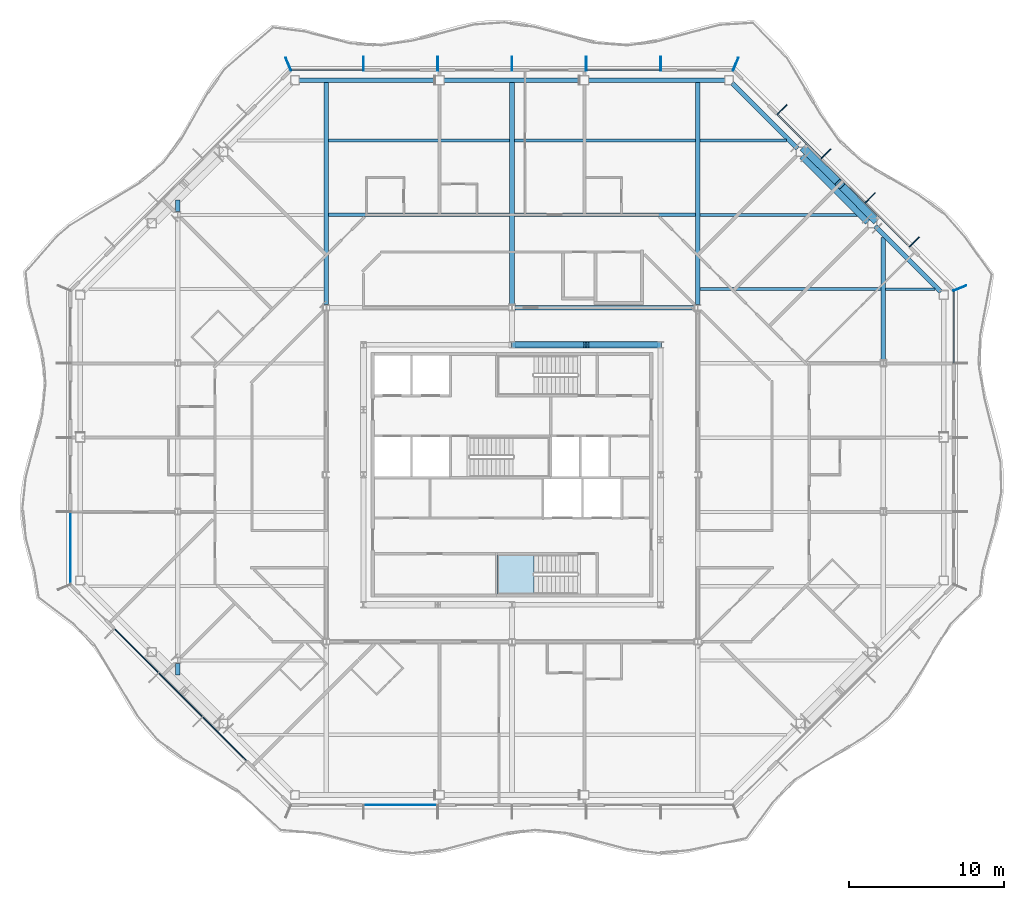
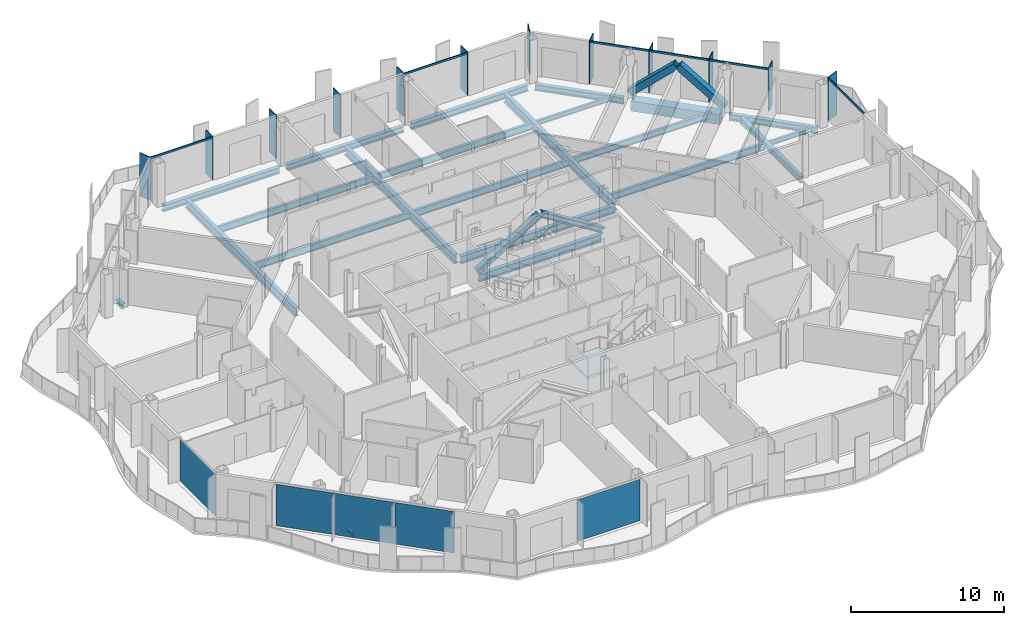
# One storey, part 5 of 21: 23 beams, 22 members, 5 plates, 1 slab, 8 elements without a shape of their own.
"""IFC4 building model written with IfcOpenShell, lengths in metres."""

from ifc_helpers import new_model, si_unit, direction, frame, origin, origin_2d, place, context, subcontext, project, spatial, polyline, rectangle, hollow_rectangle, i_section, outline, extrude, material, layer, layer_set, material_profile, profile_set, type_object, element, aggregate, save


model = new_model("IFC4")

# Units and contexts
model_context = context("Model", 3, precision=1e-05, world=origin(), true_north=direction((0.0, 1.0)))
body_context = subcontext(model_context, "Body", "Model", "MODEL_VIEW")
ifc_project = project(units=[si_unit("LENGTHUNIT", "METRE"), si_unit("AREAUNIT", "SQUARE_METRE"), si_unit("VOLUMEUNIT", "CUBIC_METRE"), si_unit("PLANEANGLEUNIT", "RADIAN"), si_unit("MASSUNIT", "GRAM", prefix="KILO")], contexts=[model_context])

# Site, building, storey
site_placement = place(None, origin())
site = spatial("IfcSite", under=ifc_project, at=site_placement, CompositionType="ELEMENT")
building_placement = place(site_placement, origin())
building = spatial("IfcBuilding", under=site, at=building_placement, Name="Cairn Pilgrim Tower", CompositionType="ELEMENT")
storey_placement = place(building_placement, frame((0.0, 0.0, 154.199951171875)))
storey = spatial("IfcBuildingStorey", under=building, at=storey_placement, Name="L38", CompositionType="ELEMENT", Elevation=154.199951171875)

# Members
ifc_material_1 = material(Name="Structural steel S460M", Category="steel")
ifc_material_profile_1 = material_profile(ifc_material_1, hollow_rectangle(XDim=0.5, YDim=0.5, WallThickness=0.030029296875, at=origin_2d()), Name="BOX 500x500x30")
ifc_profile_set_1 = profile_set([ifc_material_profile_1], Name="Structural steel S460M")
member_type_1 = type_object("IfcMemberType", Name="BOX 500x500x30 BRACE", PredefinedType="BRACE", material=ifc_profile_set_1)
for number, where, z_axis, x_axis, name in (
    (1, (30.643310546875, 18.89794921875, 0.150146484375), (-0.53283023714, 0.540432836476, 0.651171473306), (-0.712097799006, -0.702080283622, 0.0), "XB-NE2-NE3-1"),
    (2, (26.097900390625, 23.443359375, 0.150146484375), (0.540432836476, -0.53283023714, 0.651171473306), (0.702080283622, 0.712097799006, 0.0), "XB-NE2-NE3-2"),
):
    element("IfcMember", number, at=place(storey_placement, frame(where, z_axis=z_axis, x_axis=x_axis)), inside=storey, type_object=member_type_1, Name=name, PredefinedType="BRACE", context=body_context, shape_type="SweptSolid", body=[
        extrude(hollow_rectangle(XDim=0.5, YDim=0.5, WallThickness=0.030029296875, at=origin_2d()), origin(), (0.0, 0.0, 1.0), 4.142578125),
    ])

# Beams
ifc_material_2 = material(Name="Structural steel S355J2", Category="steel")
ifc_material_profile_2 = material_profile(ifc_material_2, hollow_rectangle(XDim=0.699951171875, YDim=0.800048828125, WallThickness=0.0400390625, at=origin_2d()), Name="BOX 700x800x40")
ifc_profile_set_2 = profile_set([ifc_material_profile_2], Name="Structural steel S355J2")
beam_type_1 = type_object("IfcBeamType", Name="BOX 700x800x40 RING GIRDER", PredefinedType="SPANDREL", material=ifc_profile_set_2)
beam_1_placement = place(storey_placement, frame((30.284912109375, 18.84228515625, -0.550048828125), z_axis=(-0.707106781187, 0.707106781187, 0.0), x_axis=(-0.707106781187, -0.707106781187, 0.0)))
element("IfcBeam", 3, at=beam_1_placement, inside=storey, type_object=beam_type_1, Name="RG2-NE2-NE3-1", PredefinedType="SPANDREL", context=body_context, shape_type="SweptSolid", body=[
    extrude(hollow_rectangle(XDim=0.699951171875, YDim=0.800048828125, WallThickness=0.0400390625, at=origin_2d()), origin(), (0.0, 0.0, 1.0), 3.0),
])
beam_2_placement = place(storey_placement, frame((28.16357421875, 20.963623046875, -0.550048828125), z_axis=(-0.707106781187, 0.707106781187, 0.0), x_axis=(-0.707106781187, -0.707106781187, 0.0)))
element("IfcBeam", 4, at=beam_2_placement, inside=storey, type_object=beam_type_1, Name="RG2-NE2-NE3-2", PredefinedType="SPANDREL", context=body_context, shape_type="SweptSolid", body=[
    extrude(hollow_rectangle(XDim=0.699951171875, YDim=0.800048828125, WallThickness=0.0400390625, at=origin_2d()), origin(), (0.0, 0.0, 1.0), 2.999755859375),
])

# Curtain wall, members
ifc_material_3 = material(Name="Aluminium alloy 6063-T6 bronze anodised with Bronze tinted laminated low-E glass 8+16+8.8", Category="aluminium")
curtain_wall_type_1 = type_object("IfcCurtainWallType", Name="CHAMFER CORNER CURTAIN WALL", PredefinedType="NOTDEFINED", material=ifc_material_3)
curtain_wall_1_placement = place(storey_placement, origin())
curtain_wall_1 = element("IfcCurtainWall", 5, at=curtain_wall_1_placement, inside=storey, type_object=curtain_wall_type_1, Name="Chamfer Corner Curtain Wall NE", PredefinedType="NOTDEFINED")
ifc_material_4 = material(Name="Aluminium alloy 6063-T6 bronze anodised", Category="aluminium")
ifc_material_profile_3 = material_profile(ifc_material_4, rectangle(XDim=0.89990234375, YDim=0.06005859375, at=origin_2d()), Name="FIN MULLION 60x900 BRONZE")
ifc_profile_set_3 = profile_set([ifc_material_profile_3], Name="Aluminium alloy 6063-T6 bronze anodised")
member_type_2 = type_object("IfcMemberType", Name="FIN MULLION 60x900 BRONZE", PredefinedType="MULLION", material=ifc_profile_set_3)
member_1_placement = place(storey_placement, frame((36.137939453125, 14.457275390625, 0.0), z_axis=(0.0, 0.0, 1.0), x_axis=(0.923879532511, 0.382683432365, 0.0)))
member_1 = element("IfcMember", 6, at=member_1_placement, type_object=member_type_2, Name="Fin mullion NE1", PredefinedType="MULLION", context=body_context, shape_type="SweptSolid", body=[
    extrude(rectangle(XDim=0.89990234375, YDim=0.06005859375, at=origin_2d()), origin(), (0.0, 0.0, 1.0), 3.449951171875),
])
member_2_placement = place(storey_placement, frame((33.1962890625, 17.444091796875, 0.0), z_axis=(0.0, 0.0, 1.0), x_axis=(0.707106781187, 0.707106781187, 0.0)))
member_2 = element("IfcMember", 7, at=member_2_placement, type_object=member_type_2, Name="Fin mullion NE2", PredefinedType="MULLION", context=body_context, shape_type="SweptSolid", body=[
    extrude(rectangle(XDim=0.89990234375, YDim=0.06005859375, at=origin_2d()), origin(), (0.0, 0.0, 1.0), 3.449951171875),
])
member_3_placement = place(storey_placement, frame((30.345458984375, 20.294921875, 0.0), z_axis=(0.0, 0.0, 1.0), x_axis=(0.707106781187, 0.707106781187, 0.0)))
member_3 = element("IfcMember", 8, at=member_3_placement, type_object=member_type_2, Name="Fin mullion NE3", PredefinedType="MULLION", context=body_context, shape_type="SweptSolid", body=[
    extrude(rectangle(XDim=0.89990234375, YDim=0.06005859375, at=origin_2d()), origin(), (0.0, 0.0, 1.0), 3.449951171875),
])
member_4_placement = place(storey_placement, frame((27.494873046875, 23.1455078125, 0.0), z_axis=(0.0, 0.0, 1.0), x_axis=(0.707106781187, 0.707106781187, 0.0)))
member_4 = element("IfcMember", 9, at=member_4_placement, type_object=member_type_2, Name="Fin mullion NE4", PredefinedType="MULLION", context=body_context, shape_type="SweptSolid", body=[
    extrude(rectangle(XDim=0.89990234375, YDim=0.06005859375, at=origin_2d()), origin(), (0.0, 0.0, 1.0), 3.449951171875),
])
member_5_placement = place(storey_placement, frame((24.64404296875, 25.996337890625, 0.0), z_axis=(0.0, 0.0, 1.0), x_axis=(0.707106781187, 0.707106781187, 0.0)))
member_5 = element("IfcMember", 10, at=member_5_placement, type_object=member_type_2, Name="Fin mullion NE5", PredefinedType="MULLION", context=body_context, shape_type="SweptSolid", body=[
    extrude(rectangle(XDim=0.89990234375, YDim=0.06005859375, at=origin_2d()), origin(), (0.0, 0.0, 1.0), 3.449951171875),
])

curtain_wall_type_2 = type_object("IfcCurtainWallType", Name="TOWER STICK CURTAIN WALL NS", PredefinedType="NOTDEFINED", material=ifc_material_3)
curtain_wall_2_placement = place(storey_placement, origin())
curtain_wall_2 = element("IfcCurtainWall", 11, at=curtain_wall_2_placement, inside=storey, type_object=curtain_wall_type_2, Name="Tower Stick Curtain Wall Ns N", PredefinedType="NOTDEFINED")
member_6_placement = place(storey_placement, frame((21.6572265625, 28.93798828125, 0.0), z_axis=(0.0, 0.0, 1.0), x_axis=(0.382683432365, 0.923879532511, 0.0)))
member_6 = element("IfcMember", 12, at=member_6_placement, type_object=member_type_2, Name="Fin mullion N1", PredefinedType="MULLION", context=body_context, shape_type="SweptSolid", body=[
    extrude(rectangle(XDim=0.89990234375, YDim=0.06005859375, at=origin_2d()), origin(), (0.0, 0.0, 1.0), 3.449951171875),
])
member_7_placement = place(storey_placement, frame((16.800048828125, 28.969970703125, 0.0), z_axis=(0.0, 0.0, 1.0), x_axis=(0.0, 1.0, 0.0)))
member_7 = element("IfcMember", 13, at=member_7_placement, type_object=member_type_2, Name="Fin mullion N2", PredefinedType="MULLION", context=body_context, shape_type="SweptSolid", body=[
    extrude(rectangle(XDim=0.89990234375, YDim=0.06005859375, at=origin_2d()), origin(), (0.0, 0.0, 1.0), 3.449951171875),
])
member_8_placement = place(storey_placement, frame((12.0, 28.969970703125, 0.0), z_axis=(0.0, 0.0, 1.0), x_axis=(0.0, 1.0, 0.0)))
member_8 = element("IfcMember", 14, at=member_8_placement, type_object=member_type_2, Name="Fin mullion N3", PredefinedType="MULLION", context=body_context, shape_type="SweptSolid", body=[
    extrude(rectangle(XDim=0.89990234375, YDim=0.06005859375, at=origin_2d()), origin(), (0.0, 0.0, 1.0), 3.449951171875),
])
member_9_placement = place(storey_placement, frame((7.199951171875, 28.969970703125, 0.0), z_axis=(0.0, 0.0, 1.0), x_axis=(0.0, 1.0, 0.0)))
member_9 = element("IfcMember", 15, at=member_9_placement, type_object=member_type_2, Name="Fin mullion N4", PredefinedType="MULLION", context=body_context, shape_type="SweptSolid", body=[
    extrude(rectangle(XDim=0.89990234375, YDim=0.06005859375, at=origin_2d()), origin(), (0.0, 0.0, 1.0), 3.449951171875),
])
member_10_placement = place(storey_placement, frame((2.39990234375, 28.969970703125, 0.0), z_axis=(0.0, 0.0, 1.0), x_axis=(0.0, 1.0, 0.0)))
member_10 = element("IfcMember", 16, at=member_10_placement, type_object=member_type_2, Name="Fin mullion N5", PredefinedType="MULLION", context=body_context, shape_type="SweptSolid", body=[
    extrude(rectangle(XDim=0.89990234375, YDim=0.06005859375, at=origin_2d()), origin(), (0.0, 0.0, 1.0), 3.449951171875),
])
member_11_placement = place(storey_placement, frame((-2.39990234375, 28.969970703125, 0.0), z_axis=(0.0, 0.0, 1.0), x_axis=(0.0, 1.0, 0.0)))
member_11 = element("IfcMember", 17, at=member_11_placement, type_object=member_type_2, Name="Fin mullion N6", PredefinedType="MULLION", context=body_context, shape_type="SweptSolid", body=[
    extrude(rectangle(XDim=0.89990234375, YDim=0.06005859375, at=origin_2d()), origin(), (0.0, 0.0, 1.0), 3.449951171875),
])

# Curtain wall, member
curtain_wall_3_placement = place(storey_placement, origin())
curtain_wall_3 = element("IfcCurtainWall", 18, at=curtain_wall_3_placement, inside=storey, type_object=curtain_wall_type_1, Name="Chamfer Corner Curtain Wall NW", PredefinedType="NOTDEFINED")
member_12_placement = place(storey_placement, frame((-7.257080078125, 28.93798828125, 0.0), z_axis=(0.0, 0.0, 1.0), x_axis=(-0.382683432365, 0.923879532511, 0.0)))
member_12 = element("IfcMember", 19, at=member_12_placement, type_object=member_type_2, Name="Fin mullion NW1", PredefinedType="MULLION", context=body_context, shape_type="SweptSolid", body=[
    extrude(rectangle(XDim=0.89990234375, YDim=0.06005859375, at=origin_2d()), origin(), (0.0, 0.0, 1.0), 3.449951171875),
])
aggregate(curtain_wall_3, [member_12])

# Members
ifc_material_profile_4 = material_profile(ifc_material_1, i_section(OverallWidth=0.408935546875, OverallDepth=0.425048828125, WebThickness=0.03271484375, FlangeThickness=0.052490234375, FilletRadius=0.014892578125, at=origin_2d()), Name="HD 400x421")
ifc_profile_set_4 = profile_set([ifc_material_profile_4], Name="Structural steel S460M")
member_type_3 = type_object("IfcMemberType", Name="HD 400x421 BRACE", PredefinedType="BRACE", material=ifc_profile_set_4)
for number, where, z_axis, x_axis, name in (
    (20, (16.75830078125, 10.800048828125, 0.10009765625), (-0.851119565216, 0.0, 0.524971890397), (0.0, -1.0, 0.0), "KB-3A"),
    (21, (7.24169921875, 10.800048828125, 0.10009765625), (0.851119565216, 0.0, 0.524971890397), (0.0, 1.0, 0.0), "KB-3B"),
):
    element("IfcMember", number, at=place(storey_placement, frame(where, z_axis=z_axis, x_axis=x_axis)), inside=storey, type_object=member_type_3, Name=name, PredefinedType="BRACE", context=body_context, shape_type="SweptSolid", body=[
        extrude(i_section(OverallWidth=0.408935546875, OverallDepth=0.425048828125, WebThickness=0.03271484375, FlangeThickness=0.052490234375, FilletRadius=0.014892578125, at=origin_2d()), origin(), (0.0, 0.0, 1.0), 5.528076171875),
    ])

# Beams
ifc_material_profile_5 = material_profile(ifc_material_2, i_section(OverallWidth=0.300048828125, OverallDepth=0.39990234375, WebThickness=0.013427734375, FlangeThickness=0.02392578125, FilletRadius=0.027099609375, at=origin_2d()), Name="HEB 400")
ifc_profile_set_5 = profile_set([ifc_material_profile_5], Name="Structural steel S355J2")
beam_type_2 = type_object("IfcBeamType", Name="HEB 400 GIRDER", PredefinedType="BEAM", material=ifc_profile_set_5)
for number, where, z_axis, x_axis, name in (
    (22, (-14.39990234375, -10.545166015625, -0.349853515625), (0.0, 1.0, 0.0), (-1.0, 0.0, 0.0), "PG1-E1"),
    (23, (-14.39990234375, 19.3994140625, -0.349853515625), (0.0, 1.0, 0.0), (-1.0, 0.0, 0.0), "PG1-E2"),
):
    element("IfcBeam", number, at=place(storey_placement, frame(where, z_axis=z_axis, x_axis=x_axis)), inside=storey, type_object=beam_type_2, Name=name, PredefinedType="BEAM", context=body_context, shape_type="SweptSolid", body=[
        extrude(i_section(OverallWidth=0.300048828125, OverallDepth=0.39990234375, WebThickness=0.013427734375, FlangeThickness=0.02392578125, FilletRadius=0.027099609375, at=origin_2d()), origin(), (0.0, 0.0, 1.0), 0.74560546875),
    ])
ifc_material_profile_6 = material_profile(ifc_material_2, i_section(OverallWidth=0.300048828125, OverallDepth=0.5, WebThickness=0.014404296875, FlangeThickness=0.028076171875, FilletRadius=0.027099609375, at=origin_2d()), Name="HEB 500")
ifc_profile_set_6 = profile_set([ifc_material_profile_6], Name="Structural steel S355J2")
beam_type_3 = type_object("IfcBeamType", Name="HEB 500 GIRDER", PredefinedType="BEAM", material=ifc_profile_set_6)
beam_3_placement = place(storey_placement, frame((31.199951171875, 9.804443359375, -0.39990234375), z_axis=(0.0, 1.0, 0.0), x_axis=(-1.0, 0.0, 0.0)))
element("IfcBeam", 24, at=beam_3_placement, inside=storey, type_object=beam_type_3, Name="PG5-3", PredefinedType="BEAM", context=body_context, shape_type="SweptSolid", body=[
    extrude(i_section(OverallWidth=0.300048828125, OverallDepth=0.5, WebThickness=0.014404296875, FlangeThickness=0.028076171875, FilletRadius=0.027099609375, at=origin_2d()), origin(), (0.0, 0.0, 1.0), 7.940673828125),
])
ifc_material_profile_7 = material_profile(ifc_material_2, i_section(OverallWidth=0.300048828125, OverallDepth=0.5, WebThickness=0.014404296875, FlangeThickness=0.028076171875, FilletRadius=0.027099609375, at=origin_2d()), Name="HEB 500")
ifc_profile_set_7 = profile_set([ifc_material_profile_7], Name="Structural steel S355J2")
beam_type_4 = type_object("IfcBeamType", Name="HEB 500 RING GIRDER", PredefinedType="SPANDREL", material=ifc_profile_set_7)
beam_4_placement = place(storey_placement, frame((34.9091796875, 14.218017578125, -0.39990234375), z_axis=(-0.707086435425, 0.707127126363, 0.0), x_axis=(-0.707127126363, -0.707086435425, 0.0)))
element("IfcBeam", 25, at=beam_4_placement, inside=storey, type_object=beam_type_4, Name="RG2-NE1-NE2", PredefinedType="SPANDREL", context=body_context, shape_type="SweptSolid", body=[
    extrude(i_section(OverallWidth=0.300048828125, OverallDepth=0.5, WebThickness=0.014404296875, FlangeThickness=0.028076171875, FilletRadius=0.027099609375, at=origin_2d()), origin(), (0.0, 0.0, 1.0), 5.999755859375),
])
beam_5_placement = place(storey_placement, frame((25.66064453125, 23.466796875, -0.39990234375), z_axis=(-0.707127127534, 0.707086434254, 0.0), x_axis=(-0.707086434254, -0.707127127534, 0.0)))
element("IfcBeam", 26, at=beam_5_placement, inside=storey, type_object=beam_type_4, Name="RG2-NE3-N1", PredefinedType="SPANDREL", context=body_context, shape_type="SweptSolid", body=[
    extrude(i_section(OverallWidth=0.300048828125, OverallDepth=0.5, WebThickness=0.014404296875, FlangeThickness=0.028076171875, FilletRadius=0.027099609375, at=origin_2d()), origin(), (0.0, 0.0, 1.0), 5.99951171875),
])
for number, where, z_axis, x_axis, name in (
    (27, (20.957275390625, 27.89990234375, -0.39990234375), (-1.0, 0.0, 0.0), (0.0, -1.0, 0.0), "RG2-N1-N2"),
    (28, (11.605712890625, 27.89990234375, -0.39990234375), (-1.0, 0.0, 0.0), (0.0, -1.0, 0.0), "RG2-N2-N3"),
    (29, (2.25439453125, 27.89990234375, -0.39990234375), (-1.0, 0.0, 0.0), (0.0, -1.0, 0.0), "RG2-N3-NW1"),
):
    element("IfcBeam", number, at=place(storey_placement, frame(where, z_axis=z_axis, x_axis=x_axis)), inside=storey, type_object=beam_type_4, Name=name, PredefinedType="SPANDREL", context=body_context, shape_type="SweptSolid", body=[
        extrude(i_section(OverallWidth=0.300048828125, OverallDepth=0.5, WebThickness=0.014404296875, FlangeThickness=0.028076171875, FilletRadius=0.027099609375, at=origin_2d()), origin(), (0.0, 0.0, 1.0), 8.8115234375),
    ])
ifc_material_profile_8 = material_profile(ifc_material_2, i_section(OverallWidth=0.300048828125, OverallDepth=0.60009765625, WebThickness=0.015380859375, FlangeThickness=0.030029296875, FilletRadius=0.027099609375, at=origin_2d()), Name="HEB 600")
ifc_profile_set_8 = profile_set([ifc_material_profile_8], Name="Structural steel S355J2")
beam_type_5 = type_object("IfcBeamType", Name="HEB 600 CORE BEAM", PredefinedType="BEAM", material=ifc_profile_set_8)
beam_6_placement = place(storey_placement, frame((16.61279296875, 10.800048828125, -0.449951171875), z_axis=(-1.0, 0.0, 0.0), x_axis=(0.0, -1.0, 0.0)))
element("IfcBeam", 30, at=beam_6_placement, inside=storey, type_object=beam_type_5, Name="CB-5", PredefinedType="BEAM", context=body_context, shape_type="SweptSolid", body=[
    extrude(i_section(OverallWidth=0.300048828125, OverallDepth=0.60009765625, WebThickness=0.015380859375, FlangeThickness=0.030029296875, FilletRadius=0.027099609375, at=origin_2d()), origin(), (0.0, 0.0, 1.0), 9.2255859375),
])
ifc_material_profile_9 = material_profile(ifc_material_2, i_section(OverallWidth=0.300048828125, OverallDepth=0.60009765625, WebThickness=0.015380859375, FlangeThickness=0.030029296875, FilletRadius=0.027099609375, at=origin_2d()), Name="HEB 600")
ifc_profile_set_9 = profile_set([ifc_material_profile_9], Name="Structural steel S355J2")
beam_type_6 = type_object("IfcBeamType", Name="HEB 600 INNER GIRDER", PredefinedType="BEAM", material=ifc_profile_set_9)
beam_7_placement = place(storey_placement, frame((7.3994140625, 13.199951171875, -0.449951171875), z_axis=(1.0, 0.0, 0.0), x_axis=(0.0, 1.0, 0.0)))
element("IfcBeam", 31, at=beam_7_placement, inside=storey, type_object=beam_type_6, Name="IG2-2", PredefinedType="BEAM", context=body_context, shape_type="SweptSolid", body=[
    extrude(i_section(OverallWidth=0.300048828125, OverallDepth=0.60009765625, WebThickness=0.015380859375, FlangeThickness=0.030029296875, FilletRadius=0.027099609375, at=origin_2d()), origin(), (0.0, 0.0, 1.0), 11.60107421875),
])
ifc_material_profile_10 = material_profile(ifc_material_2, i_section(OverallWidth=0.300048828125, OverallDepth=0.699951171875, WebThickness=0.01708984375, FlangeThickness=0.031982421875, FilletRadius=0.027099609375, at=origin_2d()), Name="HEB 700")
ifc_profile_set_10 = profile_set([ifc_material_profile_10], Name="Structural steel S355J2")
beam_type_7 = type_object("IfcBeamType", Name="HEB 700 GIRDER", PredefinedType="BEAM", material=ifc_profile_set_10)
for number, where, z_axis, x_axis, name in (
    (32, (-4.800048828125, 13.3994140625, -0.5), (0.0, 1.0, 0.0), (-1.0, 0.0, 0.0), "PG2-4"),
    (33, (7.199951171875, 13.3994140625, -0.5), (0.0, 1.0, 0.0), (-1.0, 0.0, 0.0), "PG3-2"),
    (34, (19.199951171875, 13.3994140625, -0.5), (0.0, 1.0, 0.0), (-1.0, 0.0, 0.0), "PG4-4"),
):
    element("IfcBeam", number, at=place(storey_placement, frame(where, z_axis=z_axis, x_axis=x_axis)), inside=storey, type_object=beam_type_7, Name=name, PredefinedType="BEAM", context=body_context, shape_type="SweptSolid", body=[
        extrude(i_section(OverallWidth=0.300048828125, OverallDepth=0.699951171875, WebThickness=0.01708984375, FlangeThickness=0.031982421875, FilletRadius=0.027099609375, at=origin_2d()), origin(), (0.0, 0.0, 1.0), 14.380615234375),
    ])
ifc_material_profile_11 = material_profile(ifc_material_2, i_section(OverallWidth=0.169921875, OverallDepth=0.360107421875, WebThickness=0.008056640625, FlangeThickness=0.0126953125, FilletRadius=0.01806640625, at=origin_2d()), Name="IPE 360")
ifc_profile_set_11 = profile_set([ifc_material_profile_11], Name="Structural steel S355J2")
beam_type_8 = type_object("IfcBeamType", Name="IPE 360 SECONDARY BEAM", PredefinedType="JOIST", material=ifc_profile_set_11)
beam_8_placement = place(storey_placement, frame((31.35009765625, 14.39990234375, -0.329833984375), z_axis=(1.0, 0.0, 0.0), x_axis=(0.0, 1.0, 0.0)))
element("IfcBeam", 35, at=beam_8_placement, inside=storey, type_object=beam_type_8, Name="SB7-4", PredefinedType="JOIST", context=body_context, shape_type="SweptSolid", body=[
    extrude(i_section(OverallWidth=0.169921875, OverallDepth=0.360107421875, WebThickness=0.008056640625, FlangeThickness=0.0126953125, FilletRadius=0.01806640625, at=origin_2d()), origin(), (0.0, 0.0, 1.0), 3.195068359375),
])
beam_9_placement = place(storey_placement, frame((19.35009765625, 24.0, -0.329833984375), z_axis=(1.0, 0.0, 0.0), x_axis=(0.0, 1.0, 0.0)))
element("IfcBeam", 36, at=beam_9_placement, inside=storey, type_object=beam_type_8, Name="SB9-4", PredefinedType="JOIST", context=body_context, shape_type="SweptSolid", body=[
    extrude(i_section(OverallWidth=0.169921875, OverallDepth=0.360107421875, WebThickness=0.008056640625, FlangeThickness=0.0126953125, FilletRadius=0.01806640625, at=origin_2d()), origin(), (0.0, 0.0, 1.0), 5.594970703125),
])
ifc_material_profile_12 = material_profile(ifc_material_2, i_section(OverallWidth=0.199951171875, OverallDepth=0.5, WebThickness=0.01025390625, FlangeThickness=0.01611328125, FilletRadius=0.02099609375, at=origin_2d()), Name="IPE 500")
ifc_profile_set_12 = profile_set([ifc_material_profile_12], Name="Structural steel S355J2")
beam_type_9 = type_object("IfcBeamType", Name="IPE 500 SECONDARY BEAM", PredefinedType="JOIST", material=ifc_profile_set_12)
beam_10_placement = place(storey_placement, frame((19.35009765625, 19.199951171875, -0.39990234375), z_axis=(1.0, 0.0, 0.0), x_axis=(0.0, 1.0, 0.0)))
element("IfcBeam", 37, at=beam_10_placement, inside=storey, type_object=beam_type_9, Name="SB8-4", PredefinedType="JOIST", context=body_context, shape_type="SweptSolid", body=[
    extrude(i_section(OverallWidth=0.199951171875, OverallDepth=0.5, WebThickness=0.01025390625, FlangeThickness=0.01611328125, FilletRadius=0.02099609375, at=origin_2d()), origin(), (0.0, 0.0, 1.0), 10.39501953125),
])
ifc_material_profile_13 = material_profile(ifc_material_2, i_section(OverallWidth=0.2099609375, OverallDepth=0.550048828125, WebThickness=0.010986328125, FlangeThickness=0.01708984375, FilletRadius=0.02392578125, at=origin_2d()), Name="IPE 550")
ifc_profile_set_13 = profile_set([ifc_material_profile_13], Name="Structural steel S355J2")
beam_type_10 = type_object("IfcBeamType", Name="IPE 550 SECONDARY BEAM", PredefinedType="JOIST", material=ifc_profile_set_13)
for number, where, z_axis, x_axis, name in (
    (38, (19.35009765625, 14.39990234375, -0.425048828125), (1.0, 0.0, 0.0), (0.0, 1.0, 0.0), "SB7-3"),
    (39, (-4.64990234375, 19.199951171875, -0.425048828125), (1.0, 0.0, 0.0), (0.0, 1.0, 0.0), "SB8-2"),
    (40, (7.35009765625, 19.199951171875, -0.425048828125), (1.0, 0.0, 0.0), (0.0, 1.0, 0.0), "SB8-3"),
    (41, (-4.64990234375, 24.0, -0.425048828125), (1.0, 0.0, 0.0), (0.0, 1.0, 0.0), "SB9-2"),
    (42, (7.35009765625, 24.0, -0.425048828125), (1.0, 0.0, 0.0), (0.0, 1.0, 0.0), "SB9-3"),
):
    element("IfcBeam", number, at=place(storey_placement, frame(where, z_axis=z_axis, x_axis=x_axis)), inside=storey, type_object=beam_type_10, Name=name, PredefinedType="JOIST", context=body_context, shape_type="SweptSolid", body=[
        extrude(i_section(OverallWidth=0.2099609375, OverallDepth=0.550048828125, WebThickness=0.010986328125, FlangeThickness=0.01708984375, FilletRadius=0.02392578125, at=origin_2d()), origin(), (0.0, 0.0, 1.0), 11.699951171875),
    ])

# Curtain wall, member
curtain_wall_type_3 = type_object("IfcCurtainWallType", Name="TOWER STICK CURTAIN WALL EW", PredefinedType="NOTDEFINED", material=ifc_material_3)
curtain_wall_4_placement = place(storey_placement, origin())
curtain_wall_4 = element("IfcCurtainWall", 43, at=curtain_wall_4_placement, inside=storey, type_object=curtain_wall_type_3, Name="Tower Stick Curtain Wall Ew E", PredefinedType="NOTDEFINED")
ifc_material_profile_14 = material_profile(ifc_material_4, rectangle(XDim=0.080078125, YDim=0.14990234375, at=origin_2d()), Name="TRANSOM 80x150 BRONZE")
ifc_profile_set_14 = profile_set([ifc_material_profile_14], Name="Aluminium alloy 6063-T6 bronze anodised")
member_type_4 = type_object("IfcMemberType", Name="TRANSOM 80x150 BRONZE", PredefinedType="USERDEFINED", material=ifc_profile_set_14)
member_13_placement = place(storey_placement, frame((35.75, 9.6298828125, 3.375), z_axis=(0.0, 1.0, 0.0), x_axis=(-1.0, 0.0, 0.0)))
member_13 = element("IfcMember", 44, at=member_13_placement, type_object=member_type_4, Name="Transom E4", ObjectType="TRANSOM", PredefinedType="USERDEFINED", context=body_context, shape_type="SweptSolid", body=[
    extrude(rectangle(XDim=0.080078125, YDim=0.14990234375, at=origin_2d()), origin(), (0.0, 0.0, 1.0), 4.62646484375),
])
aggregate(curtain_wall_4, [member_13])

# Member
member_14_placement = place(storey_placement, frame((32.878173828125, 17.16845703125, 3.375), z_axis=(-0.70713751761, 0.707076043427, 0.0), x_axis=(-0.707076043427, -0.70713751761, 0.0)))
member_14 = element("IfcMember", 45, at=member_14_placement, type_object=member_type_4, Name="Transom NE2", ObjectType="TRANSOM", PredefinedType="USERDEFINED", context=body_context, shape_type="SweptSolid", body=[
    extrude(rectangle(XDim=0.080078125, YDim=0.14990234375, at=origin_2d()), origin(), (0.0, 0.0, 1.0), 3.971435546875),
])

member_15_placement = place(storey_placement, frame((30.02734375, 20.01904296875, 3.375), z_axis=(-0.707106781187, 0.707106781187, 0.0), x_axis=(-0.707106781187, -0.707106781187, 0.0)))
member_15 = element("IfcMember", 46, at=member_15_placement, type_object=member_type_4, Name="Transom NE3", ObjectType="TRANSOM", PredefinedType="USERDEFINED", context=body_context, shape_type="SweptSolid", body=[
    extrude(rectangle(XDim=0.080078125, YDim=0.14990234375, at=origin_2d()), origin(), (0.0, 0.0, 1.0), 3.9716796875),
])

member_16_placement = place(storey_placement, frame((27.1767578125, 22.869873046875, 3.375), z_axis=(-0.70713751761, 0.707076043427, 0.0), x_axis=(-0.707076043427, -0.70713751761, 0.0)))
member_16 = element("IfcMember", 47, at=member_16_placement, type_object=member_type_4, Name="Transom NE4", ObjectType="TRANSOM", PredefinedType="USERDEFINED", context=body_context, shape_type="SweptSolid", body=[
    extrude(rectangle(XDim=0.080078125, YDim=0.14990234375, at=origin_2d()), origin(), (0.0, 0.0, 1.0), 3.971435546875),
])

aggregate(curtain_wall_1, [member_1, member_2, member_3, member_4, member_5, member_14, member_15, member_16])

member_17_placement = place(storey_placement, frame((16.77001953125, 28.550048828125, 3.375), z_axis=(-1.0, 0.0, 0.0), x_axis=(0.0, -1.0, 0.0)))
member_17 = element("IfcMember", 48, at=member_17_placement, type_object=member_type_4, Name="Transom N2", ObjectType="TRANSOM", PredefinedType="USERDEFINED", context=body_context, shape_type="SweptSolid", body=[
    extrude(rectangle(XDim=0.080078125, YDim=0.14990234375, at=origin_2d()), origin(), (0.0, 0.0, 1.0), 4.739990234375),
])

member_18_placement = place(storey_placement, frame((-2.429931640625, 28.550048828125, 3.375), z_axis=(-1.0, 0.0, 0.0), x_axis=(0.0, -1.0, 0.0)))
member_18 = element("IfcMember", 49, at=member_18_placement, type_object=member_type_4, Name="Transom N6", ObjectType="TRANSOM", PredefinedType="USERDEFINED", context=body_context, shape_type="SweptSolid", body=[
    extrude(rectangle(XDim=0.080078125, YDim=0.14990234375, at=origin_2d()), origin(), (0.0, 0.0, 1.0), 4.62646484375),
])

aggregate(curtain_wall_2, [member_6, member_7, member_8, member_9, member_10, member_11, member_17, member_18])

# Curtain wall, plates
curtain_wall_5_placement = place(storey_placement, origin())
curtain_wall_5 = element("IfcCurtainWall", 50, at=curtain_wall_5_placement, inside=storey, type_object=curtain_wall_type_1, Name="Chamfer Corner Curtain Wall SW", PredefinedType="NOTDEFINED")
ifc_material_5 = material(Name="Bronze anodised aluminium spandrel panel with mineral wool insulation", Category="aluminium")
ifc_layer_1 = layer(ifc_material_5, 0.06005859375)
ifc_layer_set_1 = layer_set([ifc_layer_1], Name="SPANDREL PANEL 3972x3300")
plate_type_1 = type_object("IfcPlateType", Name="SPANDREL PANEL 3972x3300", PredefinedType="CURTAIN_PANEL", material=ifc_layer_set_1)
plate_1_placement = place(storey_placement, frame((-17.073974609375, -8.972412109375, 0.0), z_axis=(0.0, 0.0, 1.0), x_axis=(0.707106781187, -0.707106781187, 0.0)))
plate_1 = element("IfcPlate", 51, at=plate_1_placement, type_object=plate_type_1, Name="Spandrel Panel SW2-1", PredefinedType="CURTAIN_PANEL", context=body_context, shape_type="SweptSolid", body=[
    extrude(rectangle(XDim=3.971435546875, YDim=0.06005859375, at=origin_2d()), origin(), (0.0, 0.0, 1.0), 3.300048828125),
])
plate_2_placement = place(storey_placement, frame((-14.22314453125, -11.8232421875, 0.0), z_axis=(0.0, 0.0, 1.0), x_axis=(0.707106781187, -0.707106781187, 0.0)))
plate_2 = element("IfcPlate", 52, at=plate_2_placement, type_object=plate_type_1, Name="Spandrel Panel SW3-1", PredefinedType="CURTAIN_PANEL", context=body_context, shape_type="SweptSolid", body=[
    extrude(rectangle(XDim=3.971435546875, YDim=0.06005859375, at=origin_2d()), origin(), (0.0, 0.0, 1.0), 3.300048828125),
])
plate_3_placement = place(storey_placement, frame((-11.37255859375, -14.673828125, 0.0), z_axis=(0.0, 0.0, 1.0), x_axis=(0.707106781187, -0.707106781187, 0.0)))
plate_3 = element("IfcPlate", 53, at=plate_3_placement, type_object=plate_type_1, Name="Spandrel Panel SW4-1", PredefinedType="CURTAIN_PANEL", context=body_context, shape_type="SweptSolid", body=[
    extrude(rectangle(XDim=3.971435546875, YDim=0.06005859375, at=origin_2d()), origin(), (0.0, 0.0, 1.0), 3.300048828125),
])
aggregate(curtain_wall_5, [plate_1, plate_2, plate_3])

# Stair, slab
ifc_material_6 = material(Name="Concrete C32/40", Category="concrete")
stair_type = type_object("IfcStairType", Name="EXIT STAIR 1200", PredefinedType="HALF_TURN_STAIR", material=ifc_material_6)
stair_placement = place(storey_placement, origin())
stair = element("IfcStair", 54, at=stair_placement, inside=storey, type_object=stair_type, Name="L38 Exit Stair A", PredefinedType="HALF_TURN_STAIR")
ifc_layer_2 = layer(ifc_material_6, 0.199951171875)
ifc_layer_set_2 = layer_set([ifc_layer_2], Name="STAIR LANDING 200")
slab_type = type_object("IfcSlabType", Name="STAIR LANDING 200", PredefinedType="LANDING", material=ifc_layer_set_2)
slab_placement = place(storey_placement, frame((0.0, 0.0, 1.60009765625)))
slab = element("IfcSlab", 55, at=slab_placement, type_object=slab_type, Name="ST-A landing 1", PredefinedType="LANDING", context=body_context, shape_type="SweptSolid", body=[
    extrude(outline(polyline([(8.625, -2.77490234375), (6.27490234375, -2.77490234375), (6.27490234375, -5.300048828125), (8.625, -5.300048828125), (8.625, -2.77490234375)])), origin(), (0.0, 0.0, 1.0), 0.199951171875),
])
aggregate(stair, [slab])

# Curtain wall, plate
curtain_wall_6_placement = place(storey_placement, origin())
curtain_wall_6 = element("IfcCurtainWall", 56, at=curtain_wall_6_placement, inside=storey, type_object=curtain_wall_type_3, Name="Tower Stick Curtain Wall Ew W", PredefinedType="NOTDEFINED")
ifc_material_7 = material(Name="Bronze tinted laminated low-E glass 8+16+8.8", Category="glass")
ifc_layer_3 = layer(ifc_material_7, 0.033935546875)
ifc_layer_set_3 = layer_set([ifc_layer_3], Name="VISION GLAZING 4626x3300")
plate_type_2 = type_object("IfcPlateType", Name="VISION GLAZING 4626x3300", PredefinedType="CURTAIN_PANEL", material=ifc_layer_set_3)
plate_4_placement = place(storey_placement, frame((-21.35009765625, -2.34326171875, 0.0), z_axis=(0.0, 0.0, 1.0), x_axis=(0.0, -1.0, 0.0)))
plate_4 = element("IfcPlate", 57, at=plate_4_placement, type_object=plate_type_2, Name="Vision Glazing W4-1", PredefinedType="CURTAIN_PANEL", context=body_context, shape_type="SweptSolid", body=[
    extrude(rectangle(XDim=4.62646484375, YDim=0.033935546875, at=origin_2d()), origin(), (0.0, 0.0, 1.0), 3.300048828125),
])
aggregate(curtain_wall_6, [plate_4])

curtain_wall_7_placement = place(storey_placement, origin())
curtain_wall_7 = element("IfcCurtainWall", 58, at=curtain_wall_7_placement, inside=storey, type_object=curtain_wall_type_2, Name="Tower Stick Curtain Wall Ns S", PredefinedType="NOTDEFINED")
ifc_layer_4 = layer(ifc_material_7, 0.033935546875)
ifc_layer_set_4 = layer_set([ifc_layer_4], Name="VISION GLAZING 4740x3300")
plate_type_3 = type_object("IfcPlateType", Name="VISION GLAZING 4740x3300", PredefinedType="CURTAIN_PANEL", material=ifc_layer_set_4)
plate_5_placement = place(storey_placement, frame((0.0, -18.949951171875, 0.0), z_axis=(0.0, 0.0, 1.0), x_axis=(1.0, 0.0, 0.0)))
plate_5 = element("IfcPlate", 59, at=plate_5_placement, type_object=plate_type_3, Name="Vision Glazing S2-1", PredefinedType="CURTAIN_PANEL", context=body_context, shape_type="SweptSolid", body=[
    extrude(rectangle(XDim=4.739990234375, YDim=0.033935546875, at=origin_2d()), origin(), (0.0, 0.0, 1.0), 3.300048828125),
])
aggregate(curtain_wall_7, [plate_5])

save(model, "model.ifc")
